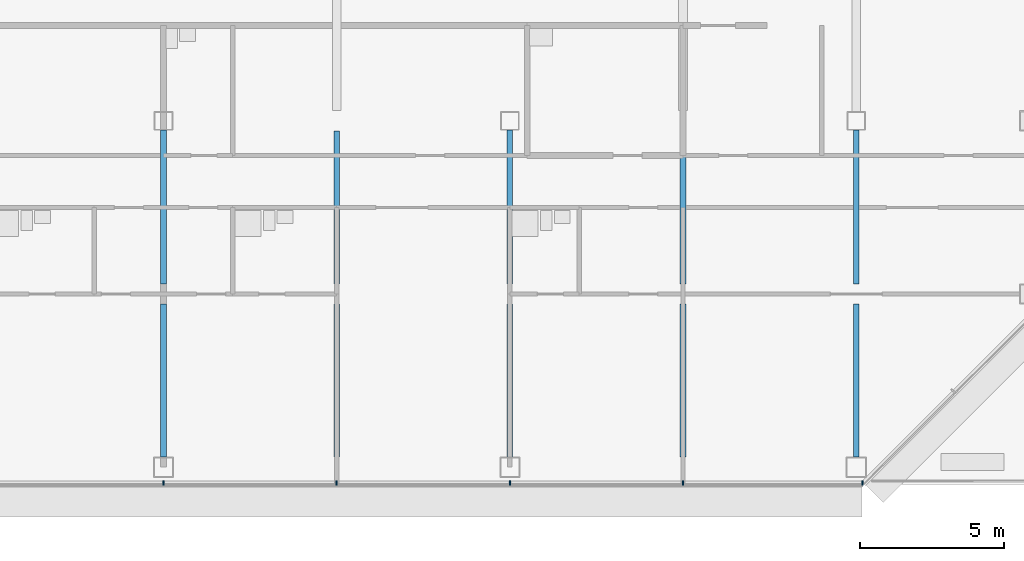
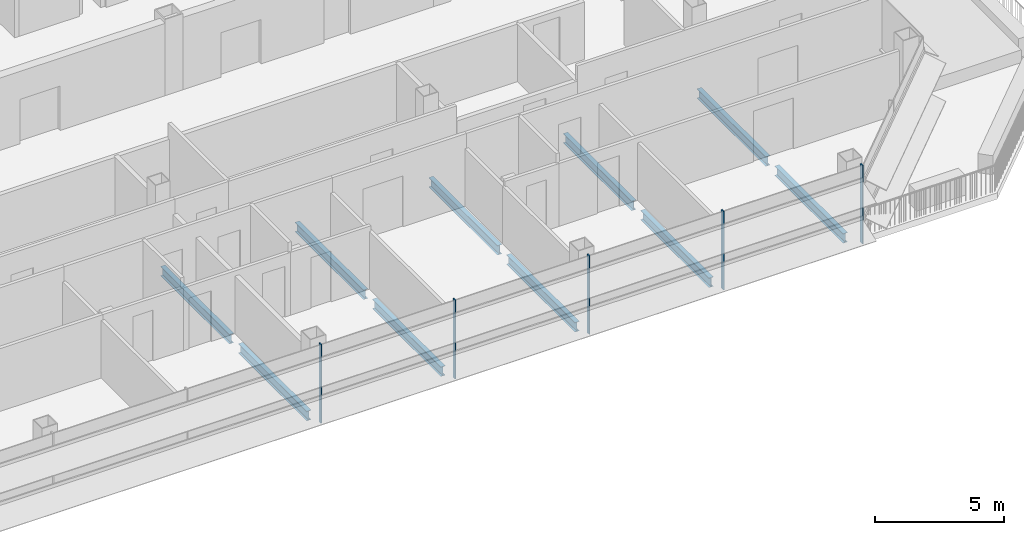
# One storey, part 8 of 27: 10 beams, 5 members, 1 element without a shape of its own.
"""IFC4 building model written with IfcOpenShell, lengths in metres."""

from ifc_helpers import new_model, si_unit, direction, frame, origin, origin_2d, place, context, subcontext, project, spatial, rectangle, i_section, extrude, material, material_profile, profile_set, type_object, element, aggregate, save


model = new_model("IFC4")

# Units and contexts
model_context = context("Model", 3, precision=1e-05, world=origin(), true_north=direction((0.0, 1.0)))
body_context = subcontext(model_context, "Body", "Model", "MODEL_VIEW")
ifc_project = project(units=[si_unit("LENGTHUNIT", "METRE"), si_unit("AREAUNIT", "SQUARE_METRE"), si_unit("VOLUMEUNIT", "CUBIC_METRE"), si_unit("PLANEANGLEUNIT", "RADIAN"), si_unit("MASSUNIT", "GRAM", prefix="KILO")], contexts=[model_context])

# Site, building, storey
site_placement = place(None, origin())
site = spatial("IfcSite", under=ifc_project, at=site_placement, CompositionType="ELEMENT")
building_placement = place(site_placement, origin())
building = spatial("IfcBuilding", under=site, at=building_placement, Name="Sorahane Residences", CompositionType="ELEMENT")
storey_placement = place(building_placement, frame((0.0, 0.0, 192.0)))
storey = spatial("IfcBuildingStorey", under=building, at=storey_placement, Name="L44", CompositionType="ELEMENT", Elevation=192.0)

# Curtain wall, members
ifc_material_1 = material(Name="Dark low-e glass and black anodised aluminium", Category="aluminium")
curtain_wall_type = type_object("IfcCurtainWallType", Name="Curtain wall CW-1 Typical unitised wall", PredefinedType="NOTDEFINED", material=ifc_material_1)
curtain_wall_placement = place(storey_placement, origin())
curtain_wall = element("IfcCurtainWall", 1, at=curtain_wall_placement, inside=storey, type_object=curtain_wall_type, Name="CW-1 curtain wall L44 S1", PredefinedType="NOTDEFINED")
ifc_material_2 = material(Name="Black anodised aluminium", Category="aluminium")
ifc_material_profile_1 = material_profile(ifc_material_2, rectangle(XDim=0.159912109375, YDim=0.050048828125, at=origin_2d()), Name="Curtain wall mullion CW-1 black anodised aluminium 50x160")
ifc_profile_set_1 = profile_set([ifc_material_profile_1], Name="Black anodised aluminium")
member_type = type_object("IfcMemberType", Name="Curtain wall mullion CW-1 black anodised aluminium 50x160", PredefinedType="MULLION", material=ifc_profile_set_1)
member_1_placement = place(storey_placement, frame((24.0, -0.5400390625, -0.300048828125), z_axis=(0.0, 0.0, 1.0), x_axis=(0.0, -1.0, 0.0)))
member_1 = element("IfcMember", 2, at=member_1_placement, type_object=member_type, Name="CW-1 mullion L44 S1.6", PredefinedType="MULLION", context=body_context, shape_type="SweptSolid", body=[
    extrude(rectangle(XDim=0.159912109375, YDim=0.050048828125, at=origin_2d()), origin(), (0.0, 0.0, 1.0), 3.719970703125),
])
member_2_placement = place(storey_placement, frame((30.0, -0.5400390625, -0.300048828125), z_axis=(0.0, 0.0, 1.0), x_axis=(0.0, -1.0, 0.0)))
member_2 = element("IfcMember", 3, at=member_2_placement, type_object=member_type, Name="CW-1 mullion L44 S1.7", PredefinedType="MULLION", context=body_context, shape_type="SweptSolid", body=[
    extrude(rectangle(XDim=0.159912109375, YDim=0.050048828125, at=origin_2d()), origin(), (0.0, 0.0, 1.0), 3.719970703125),
])
member_3_placement = place(storey_placement, frame((36.0, -0.5400390625, -0.300048828125), z_axis=(0.0, 0.0, 1.0), x_axis=(0.0, -1.0, 0.0)))
member_3 = element("IfcMember", 4, at=member_3_placement, type_object=member_type, Name="CW-1 mullion L44 S1.8", PredefinedType="MULLION", context=body_context, shape_type="SweptSolid", body=[
    extrude(rectangle(XDim=0.159912109375, YDim=0.050048828125, at=origin_2d()), origin(), (0.0, 0.0, 1.0), 3.719970703125),
])
member_4_placement = place(storey_placement, frame((42.0, -0.5400390625, -0.300048828125), z_axis=(0.0, 0.0, 1.0), x_axis=(0.0, -1.0, 0.0)))
member_4 = element("IfcMember", 5, at=member_4_placement, type_object=member_type, Name="CW-1 mullion L44 S1.9", PredefinedType="MULLION", context=body_context, shape_type="SweptSolid", body=[
    extrude(rectangle(XDim=0.159912109375, YDim=0.050048828125, at=origin_2d()), origin(), (0.0, 0.0, 1.0), 3.719970703125),
])
member_5_placement = place(storey_placement, frame((48.2236328125, -0.5400390625, -0.300048828125), z_axis=(0.0, 0.0, 1.0), x_axis=(0.0, -1.0, 0.0)))
member_5 = element("IfcMember", 6, at=member_5_placement, type_object=member_type, Name="CW-1 mullion L44 S1.10", PredefinedType="MULLION", context=body_context, shape_type="SweptSolid", body=[
    extrude(rectangle(XDim=0.159912109375, YDim=0.050048828125, at=origin_2d()), origin(), (0.0, 0.0, 1.0), 3.719970703125),
])
aggregate(curtain_wall, [member_1, member_2, member_3, member_4, member_5])

# Beams
ifc_material_3 = material(Name="Steel Q355B", Category="steel")
ifc_material_profile_2 = material_profile(ifc_material_3, i_section(OverallWidth=0.199951171875, OverallDepth=0.449951171875, WebThickness=0.009033203125, FlangeThickness=0.013916015625, FilletRadius=0.02001953125, at=origin_2d()), Name="HN 450x200x9x14")
ifc_profile_set_2 = profile_set([ifc_material_profile_2], Name="Steel Q355B")
beam_type = type_object("IfcBeamType", Name="Steel floor beam HN 450x200x9x14 Q355B", PredefinedType="BEAM", material=ifc_profile_set_2)
beam_1_placement = place(storey_placement, frame((24.0, 0.35009765625, -0.52490234375), z_axis=(0.0, 1.0, 0.0), x_axis=(-1.0, 0.0, 0.0)))
element("IfcBeam", 7, at=beam_1_placement, inside=storey, type_object=beam_type, Name="Beam L44 023", PredefinedType="BEAM", context=body_context, shape_type="SweptSolid", body=[
    extrude(i_section(OverallWidth=0.199951171875, OverallDepth=0.449951171875, WebThickness=0.009033203125, FlangeThickness=0.013916015625, FilletRadius=0.02001953125, at=origin_2d()), origin(), (0.0, 0.0, 1.0), 5.2998046875),
])
beam_2_placement = place(storey_placement, frame((24.0, 6.35009765625, -0.52490234375), z_axis=(0.0, 1.0, 0.0), x_axis=(-1.0, 0.0, 0.0)))
element("IfcBeam", 8, at=beam_2_placement, inside=storey, type_object=beam_type, Name="Beam L44 024", PredefinedType="BEAM", context=body_context, shape_type="SweptSolid", body=[
    extrude(i_section(OverallWidth=0.199951171875, OverallDepth=0.449951171875, WebThickness=0.009033203125, FlangeThickness=0.013916015625, FilletRadius=0.02001953125, at=origin_2d()), origin(), (0.0, 0.0, 1.0), 5.324951171875),
])
for number, where, z_axis, x_axis, name in (
    (9, (30.0, 0.35009765625, -0.52490234375), (0.0, 1.0, 0.0), (-1.0, 0.0, 0.0), "Beam L44 026"),
    (10, (30.0, 6.35009765625, -0.52490234375), (0.0, 1.0, 0.0), (-1.0, 0.0, 0.0), "Beam L44 027"),
    (11, (36.0, 0.35009765625, -0.52490234375), (0.0, 1.0, 0.0), (-1.0, 0.0, 0.0), "Beam L44 033"),
):
    element("IfcBeam", number, at=place(storey_placement, frame(where, z_axis=z_axis, x_axis=x_axis)), inside=storey, type_object=beam_type, Name=name, PredefinedType="BEAM", context=body_context, shape_type="SweptSolid", body=[
        extrude(i_section(OverallWidth=0.199951171875, OverallDepth=0.449951171875, WebThickness=0.009033203125, FlangeThickness=0.013916015625, FilletRadius=0.02001953125, at=origin_2d()), origin(), (0.0, 0.0, 1.0), 5.2998046875),
    ])
beam_3_placement = place(storey_placement, frame((36.0, 6.35009765625, -0.52490234375), z_axis=(0.0, 1.0, 0.0), x_axis=(-1.0, 0.0, 0.0)))
element("IfcBeam", 12, at=beam_3_placement, inside=storey, type_object=beam_type, Name="Beam L44 034", PredefinedType="BEAM", context=body_context, shape_type="SweptSolid", body=[
    extrude(i_section(OverallWidth=0.199951171875, OverallDepth=0.449951171875, WebThickness=0.009033203125, FlangeThickness=0.013916015625, FilletRadius=0.02001953125, at=origin_2d()), origin(), (0.0, 0.0, 1.0), 5.324951171875),
])
for number, where, z_axis, x_axis, name in (
    (13, (42.0, 0.35009765625, -0.52490234375), (0.0, 1.0, 0.0), (-1.0, 0.0, 0.0), "Beam L44 036"),
    (14, (42.0, 6.35009765625, -0.52490234375), (0.0, 1.0, 0.0), (-1.0, 0.0, 0.0), "Beam L44 037"),
    (15, (48.0, 0.35009765625, -0.52490234375), (0.0, 1.0, 0.0), (-1.0, 0.0, 0.0), "Beam L44 043"),
):
    element("IfcBeam", number, at=place(storey_placement, frame(where, z_axis=z_axis, x_axis=x_axis)), inside=storey, type_object=beam_type, Name=name, PredefinedType="BEAM", context=body_context, shape_type="SweptSolid", body=[
        extrude(i_section(OverallWidth=0.199951171875, OverallDepth=0.449951171875, WebThickness=0.009033203125, FlangeThickness=0.013916015625, FilletRadius=0.02001953125, at=origin_2d()), origin(), (0.0, 0.0, 1.0), 5.2998046875),
    ])
beam_4_placement = place(storey_placement, frame((48.0, 6.35009765625, -0.52490234375), z_axis=(0.0, 1.0, 0.0), x_axis=(-1.0, 0.0, 0.0)))
element("IfcBeam", 16, at=beam_4_placement, inside=storey, type_object=beam_type, Name="Beam L44 044", PredefinedType="BEAM", context=body_context, shape_type="SweptSolid", body=[
    extrude(i_section(OverallWidth=0.199951171875, OverallDepth=0.449951171875, WebThickness=0.009033203125, FlangeThickness=0.013916015625, FilletRadius=0.02001953125, at=origin_2d()), origin(), (0.0, 0.0, 1.0), 5.324951171875),
])

save(model, "model.ifc")
